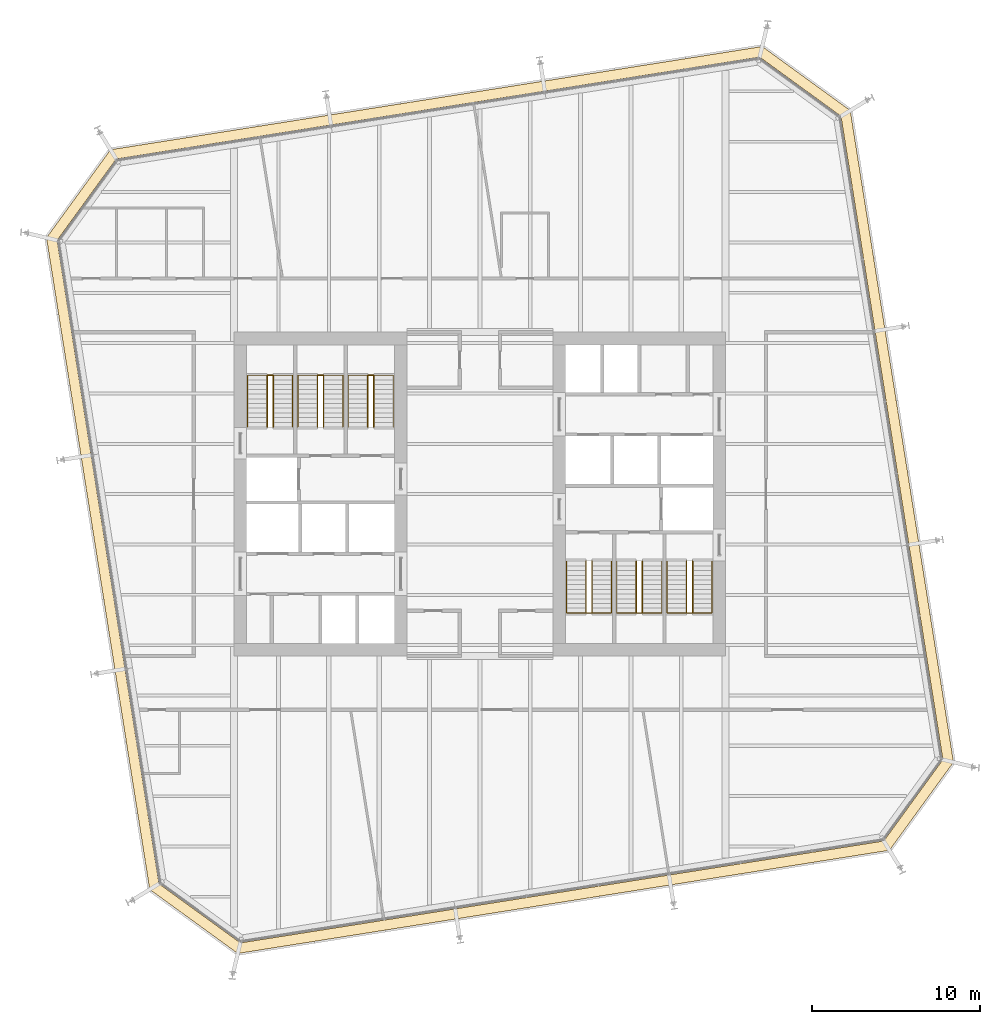
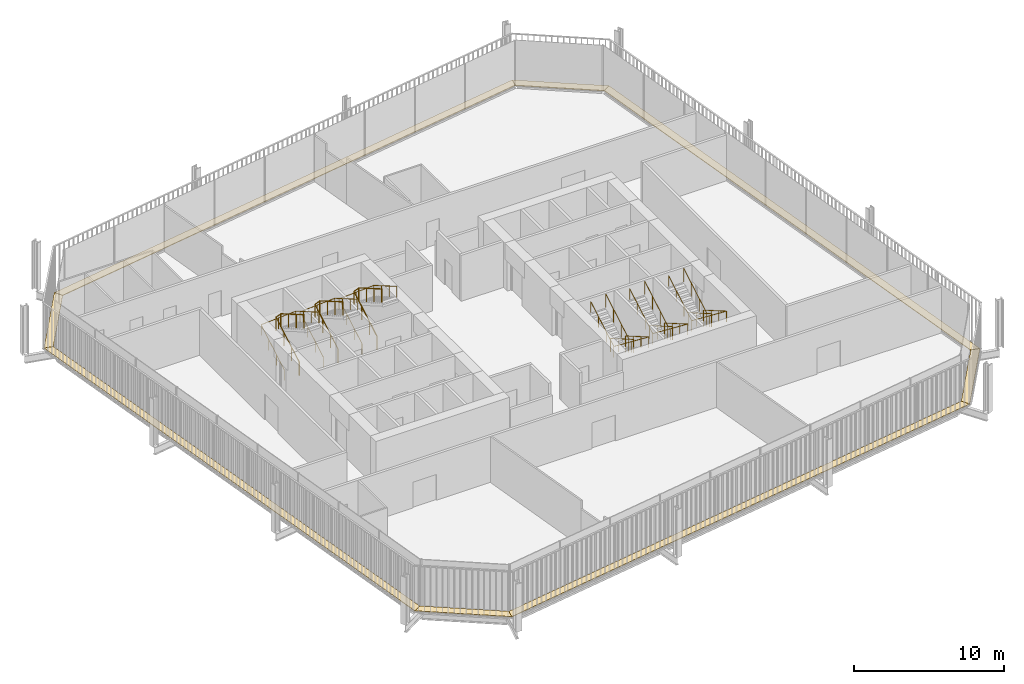
# One storey, part 21 of 21: 12 railings, 8 coverings.
"""IFC4 building model written with IfcOpenShell, lengths in metres."""

from ifc_helpers import new_model, si_unit, direction, frame, origin, origin_2d, place, context, subcontext, project, spatial, polyline, circle, outline, extrude, material, layer, layer_set, type_object, element, save


model = new_model("IFC4")

# Units and contexts
model_context = context("Model", 3, precision=1e-05, world=origin(), true_north=direction((0.0, 1.0)))
body_context = subcontext(model_context, "Body", "Model", "MODEL_VIEW")
ifc_project = project(units=[si_unit("LENGTHUNIT", "METRE"), si_unit("AREAUNIT", "SQUARE_METRE"), si_unit("VOLUMEUNIT", "CUBIC_METRE"), si_unit("PLANEANGLEUNIT", "RADIAN"), si_unit("MASSUNIT", "GRAM", prefix="KILO")], contexts=[model_context])

# Site, building, storey
site_placement = place(None, origin())
site = spatial("IfcSite", under=ifc_project, at=site_placement, CompositionType="ELEMENT")
building_placement = place(site_placement, origin())
building = spatial("IfcBuilding", under=site, at=building_placement, Name="Millrace Tower", CompositionType="ELEMENT")
storey_placement = place(building_placement, frame((0.0, 0.0, 133.39990234375)))
storey = spatial("IfcBuildingStorey", under=building, at=storey_placement, Name="L29", CompositionType="ELEMENT", Elevation=133.39990234375)

# Coverings
ifc_material_1 = material(Name="Steel ASTM A36", Category="steel")
ifc_layer = layer(ifc_material_1, 0.050048828125)
ifc_layer_set = layer_set([ifc_layer], Name="Steel ASTM A36")
covering_type = type_object("IfcCoveringType", Name="CAVITY CATWALK steel grating", PredefinedType="FLOORING", material=ifc_layer_set)
placement = place(storey_placement, frame((0.0, 0.0, 0.10009765625)))
element("IfcCovering", 1, at=placement, inside=storey, type_object=covering_type, Name="Cavity catwalk grating C-F01 L29 1", PredefinedType="FLOORING", context=body_context, shape_type="SweptSolid", body=[
    extrude(outline(polyline([(-19.67578125, -23.562255859375), (-14.425048828125, -27.376953125), (-14.2734375, -26.74560546875), (-19.1220703125, -23.222900390625), (-19.67578125, -23.562255859375)])), origin(), (0.0, 0.0, 1.0), 0.050048828125),
])
element("IfcCovering", 2, at=placement, inside=storey, type_object=covering_type, Name="Cavity catwalk grating C-F02 L29 1", PredefinedType="FLOORING", context=body_context, shape_type="SweptSolid", body=[
    extrude(outline(polyline([(-14.425048828125, -27.376953125), (24.412109375, -21.225830078125), (24.07275390625, -20.672119140625), (-14.2734375, -26.74560546875), (-14.425048828125, -27.376953125)])), origin(), (0.0, 0.0, 1.0), 0.050048828125),
])
element("IfcCovering", 3, at=placement, inside=storey, type_object=covering_type, Name="Cavity catwalk grating C-F03 L29 1", PredefinedType="FLOORING", context=body_context, shape_type="SweptSolid", body=[
    extrude(outline(polyline([(24.412109375, -21.225830078125), (28.22705078125, -15.97509765625), (27.595458984375, -15.823486328125), (24.07275390625, -20.672119140625), (24.412109375, -21.225830078125)])), origin(), (0.0, 0.0, 1.0), 0.050048828125),
])
element("IfcCovering", 4, at=placement, inside=storey, type_object=covering_type, Name="Cavity catwalk grating C-F04 L29 1", PredefinedType="FLOORING", context=body_context, shape_type="SweptSolid", body=[
    extrude(outline(polyline([(28.22705078125, -15.97509765625), (22.075927734375, 22.862060546875), (21.522216796875, 22.522705078125), (27.595458984375, -15.823486328125), (28.22705078125, -15.97509765625)])), origin(), (0.0, 0.0, 1.0), 0.050048828125),
])
element("IfcCovering", 5, at=placement, inside=storey, type_object=covering_type, Name="Cavity catwalk grating C-F05 L29 1", PredefinedType="FLOORING", context=body_context, shape_type="SweptSolid", body=[
    extrude(outline(polyline([(22.075927734375, 22.862060546875), (16.824951171875, 26.677001953125), (16.67333984375, 26.045654296875), (21.522216796875, 22.522705078125), (22.075927734375, 22.862060546875)])), origin(), (0.0, 0.0, 1.0), 0.050048828125),
])
element("IfcCovering", 6, at=placement, inside=storey, type_object=covering_type, Name="Cavity catwalk grating C-F06 L29 1", PredefinedType="FLOORING", context=body_context, shape_type="SweptSolid", body=[
    extrude(outline(polyline([(16.824951171875, 26.677001953125), (-22.01220703125, 20.52587890625), (-21.6728515625, 19.97216796875), (16.67333984375, 26.045654296875), (16.824951171875, 26.677001953125)])), origin(), (0.0, 0.0, 1.0), 0.050048828125),
])
element("IfcCovering", 7, at=placement, inside=storey, type_object=covering_type, Name="Cavity catwalk grating C-F07 L29 1", PredefinedType="FLOORING", context=body_context, shape_type="SweptSolid", body=[
    extrude(outline(polyline([(-22.01220703125, 20.52587890625), (-25.8271484375, 15.275146484375), (-25.195556640625, 15.12353515625), (-21.6728515625, 19.97216796875), (-22.01220703125, 20.52587890625)])), origin(), (0.0, 0.0, 1.0), 0.050048828125),
])
element("IfcCovering", 8, at=placement, inside=storey, type_object=covering_type, Name="Cavity catwalk grating C-F08 L29 1", PredefinedType="FLOORING", context=body_context, shape_type="SweptSolid", body=[
    extrude(outline(polyline([(-25.8271484375, 15.275146484375), (-19.67578125, -23.562255859375), (-19.1220703125, -23.222900390625), (-25.195556640625, 15.12353515625), (-25.8271484375, 15.275146484375)])), origin(), (0.0, 0.0, 1.0), 0.050048828125),
])

# Railings
ifc_material_2 = material(Name="Stainless steel ASTM A240 type 316", Category="steel")
railing_type_1 = type_object("IfcRailingType", Name="Stair guard 1100", PredefinedType="GUARDRAIL", material=ifc_material_2)
for number, where, name in (
    (9, (-12.679931640625, 4.0, 0.16259765625), "Stair guard 1 W L29"),
    (10, (-9.679931640625, 4.0, 0.16259765625), "Stair guard 2 W L29"),
    (11, (-6.679931640625, 4.0, 0.16259765625), "Stair guard 3 W L29"),
):
    element("IfcRailing", number, at=place(storey_placement, frame(where)), inside=storey, type_object=railing_type_1, Name=name, PredefinedType="GUARDRAIL", context=body_context, shape_type="SweptSolid", body=[
        extrude(circle(Radius=0.02392578125, at=origin_2d()), frame((0.0, 0.0, 1.076171875), z_axis=(0.0, 0.864890721111, 0.501960198159), x_axis=(-1.0, 0.0, 0.0)), (0.0, 0.0, 1.0), 3.561279296875),
        extrude(circle(Radius=0.02392578125, at=origin_2d()), frame((0.0, 3.080078125, 2.86376953125), z_axis=(0.91152767309, 0.0, 0.411238739895), x_axis=(0.0, 1.0, 0.0)), (0.0, 0.0, 1.0), 0.394775390625),
        extrude(circle(Radius=0.02392578125, at=origin_2d()), frame((0.35986328125, 3.080078125, 3.02587890625), z_axis=(0.0, -0.864890721111, 0.501960198159), x_axis=(1.0, 0.0, 0.0)), (0.0, 0.0, 1.0), 3.561279296875),
        extrude(circle(Radius=0.02099609375, at=origin_2d()), origin(), (0.0, 0.0, 1.0), 1.052001953125),
        extrude(circle(Radius=0.02099609375, at=origin_2d()), frame((0.0, 1.026611328125, 0.595947265625)), (0.0, 0.0, 1.0), 1.052001953125),
        extrude(circle(Radius=0.02099609375, at=origin_2d()), frame((0.0, 2.053466796875, 1.191650390625)), (0.0, 0.0, 1.0), 1.052001953125),
        extrude(circle(Radius=0.02099609375, at=origin_2d()), frame((0.0, 3.080078125, 1.78759765625)), (0.0, 0.0, 1.0), 1.052001953125),
        extrude(circle(Radius=0.02099609375, at=origin_2d()), frame((0.35986328125, 3.080078125, 1.949951171875)), (0.0, 0.0, 1.0), 1.052001953125),
        extrude(circle(Radius=0.02099609375, at=origin_2d()), frame((0.35986328125, 2.053466796875, 2.5458984375)), (0.0, 0.0, 1.0), 1.052001953125),
        extrude(circle(Radius=0.02099609375, at=origin_2d()), frame((0.35986328125, 1.026611328125, 3.1416015625)), (0.0, 0.0, 1.0), 1.052001953125),
        extrude(circle(Radius=0.02099609375, at=origin_2d()), frame((0.35986328125, 0.0, 3.737548828125)), (0.0, 0.0, 1.0), 1.052001953125),
    ])
for number, where, name in (
    (12, (12.679931640625, -4.0, 0.16259765625), "Stair guard 1 E L29"),
    (13, (9.679931640625, -4.0, 0.16259765625), "Stair guard 2 E L29"),
    (14, (6.679931640625, -4.0, 0.16259765625), "Stair guard 3 E L29"),
):
    element("IfcRailing", number, at=place(storey_placement, frame(where)), inside=storey, type_object=railing_type_1, Name=name, PredefinedType="GUARDRAIL", context=body_context, shape_type="SweptSolid", body=[
        extrude(circle(Radius=0.02392578125, at=origin_2d()), frame((0.0, 0.0, 1.076171875), z_axis=(0.0, -0.864890721111, 0.501960198159), x_axis=(1.0, 0.0, 0.0)), (0.0, 0.0, 1.0), 3.561279296875),
        extrude(circle(Radius=0.02392578125, at=origin_2d()), frame((0.0, -3.080078125, 2.86376953125), z_axis=(-0.91152767309, 0.0, 0.411238739895), x_axis=(0.0, -1.0, 0.0)), (0.0, 0.0, 1.0), 0.394775390625),
        extrude(circle(Radius=0.02392578125, at=origin_2d()), frame((-0.35986328125, -3.080078125, 3.02587890625), z_axis=(0.0, 0.864890721111, 0.501960198159), x_axis=(-1.0, 0.0, 0.0)), (0.0, 0.0, 1.0), 3.561279296875),
        extrude(circle(Radius=0.02099609375, at=origin_2d()), origin(), (0.0, 0.0, 1.0), 1.052001953125),
        extrude(circle(Radius=0.02099609375, at=origin_2d()), frame((0.0, -1.026611328125, 0.595947265625)), (0.0, 0.0, 1.0), 1.052001953125),
        extrude(circle(Radius=0.02099609375, at=origin_2d()), frame((0.0, -2.053466796875, 1.191650390625)), (0.0, 0.0, 1.0), 1.052001953125),
        extrude(circle(Radius=0.02099609375, at=origin_2d()), frame((0.0, -3.080078125, 1.78759765625)), (0.0, 0.0, 1.0), 1.052001953125),
        extrude(circle(Radius=0.02099609375, at=origin_2d()), frame((-0.35986328125, -3.080078125, 1.949951171875)), (0.0, 0.0, 1.0), 1.052001953125),
        extrude(circle(Radius=0.02099609375, at=origin_2d()), frame((-0.35986328125, -2.053466796875, 2.5458984375)), (0.0, 0.0, 1.0), 1.052001953125),
        extrude(circle(Radius=0.02099609375, at=origin_2d()), frame((-0.35986328125, -1.026611328125, 3.1416015625)), (0.0, 0.0, 1.0), 1.052001953125),
        extrude(circle(Radius=0.02099609375, at=origin_2d()), frame((-0.35986328125, 0.0, 3.737548828125)), (0.0, 0.0, 1.0), 1.052001953125),
    ])
ifc_material_3 = material(Name="Stainless steel ASTM A240 type 316", Category="steel")
railing_type_2 = type_object("IfcRailingType", Name="Stair handrail 900", PredefinedType="HANDRAIL", material=ifc_material_3)
railing_1_placement = place(storey_placement, frame((-13.840087890625, 4.0, 0.16259765625)))
element("IfcRailing", 15, at=railing_1_placement, inside=storey, type_object=railing_type_2, Name="Stair handrail 1 W L29", PredefinedType="HANDRAIL", context=body_context, shape_type="SweptSolid", body=[
    extrude(circle(Radius=0.02392578125, at=origin_2d()), frame((0.0, 0.0, 0.8759765625), z_axis=(0.0, 0.864890721111, 0.501960198159), x_axis=(-1.0, 0.0, 0.0)), (0.0, 0.0, 1.0), 3.561279296875),
    extrude(circle(Radius=0.02392578125, at=origin_2d()), frame((0.0, 3.080078125, 2.66357421875), z_axis=(0.998170326313, 0.0, 0.06046486309), x_axis=(0.0, 1.0, 0.0)), (0.0, 0.0, 1.0), 2.68505859375),
    extrude(circle(Radius=0.02392578125, at=origin_2d()), frame((2.68017578125, 3.080078125, 2.82568359375), z_axis=(0.0, -0.864890721111, 0.501960198159), x_axis=(1.0, 0.0, 0.0)), (0.0, 0.0, 1.0), 3.561279296875),
    extrude(circle(Radius=0.02099609375, at=origin_2d()), origin(), (0.0, 0.0, 1.0), 0.851806640625),
    extrude(circle(Radius=0.02099609375, at=origin_2d()), frame((0.0, 1.026611328125, 0.595947265625)), (0.0, 0.0, 1.0), 0.851806640625),
    extrude(circle(Radius=0.02099609375, at=origin_2d()), frame((0.0, 2.053466796875, 1.191650390625)), (0.0, 0.0, 1.0), 0.851806640625),
    extrude(circle(Radius=0.02099609375, at=origin_2d()), frame((0.0, 3.080078125, 1.78759765625)), (0.0, 0.0, 1.0), 0.851806640625),
    extrude(circle(Radius=0.02099609375, at=origin_2d()), frame((1.340087890625, 3.080078125, 1.86865234375)), (0.0, 0.0, 1.0), 0.851806640625),
    extrude(circle(Radius=0.02099609375, at=origin_2d()), frame((2.68017578125, 3.080078125, 1.949951171875)), (0.0, 0.0, 1.0), 0.851806640625),
    extrude(circle(Radius=0.02099609375, at=origin_2d()), frame((2.68017578125, 2.053466796875, 2.5458984375)), (0.0, 0.0, 1.0), 0.851806640625),
    extrude(circle(Radius=0.02099609375, at=origin_2d()), frame((2.68017578125, 1.026611328125, 3.1416015625)), (0.0, 0.0, 1.0), 0.851806640625),
    extrude(circle(Radius=0.02099609375, at=origin_2d()), frame((2.68017578125, 0.0, 3.737548828125)), (0.0, 0.0, 1.0), 0.851806640625),
])
railing_2_placement = place(storey_placement, frame((-10.840087890625, 4.0, 0.16259765625)))
element("IfcRailing", 16, at=railing_2_placement, inside=storey, type_object=railing_type_2, Name="Stair handrail 2 W L29", PredefinedType="HANDRAIL", context=body_context, shape_type="SweptSolid", body=[
    extrude(circle(Radius=0.02392578125, at=origin_2d()), frame((0.0, 0.0, 0.8759765625), z_axis=(0.0, 0.864890721111, 0.501960198159), x_axis=(-1.0, 0.0, 0.0)), (0.0, 0.0, 1.0), 3.561279296875),
    extrude(circle(Radius=0.02392578125, at=origin_2d()), frame((0.0, 3.080078125, 2.66357421875), z_axis=(0.998170326313, 0.0, 0.06046486309), x_axis=(0.0, 1.0, 0.0)), (0.0, 0.0, 1.0), 2.68505859375),
    extrude(circle(Radius=0.02392578125, at=origin_2d()), frame((2.68017578125, 3.080078125, 2.82568359375), z_axis=(0.0, -0.864890721111, 0.501960198159), x_axis=(1.0, 0.0, 0.0)), (0.0, 0.0, 1.0), 3.561279296875),
    extrude(circle(Radius=0.02099609375, at=origin_2d()), origin(), (0.0, 0.0, 1.0), 0.851806640625),
    extrude(circle(Radius=0.02099609375, at=origin_2d()), frame((0.0, 1.026611328125, 0.595947265625)), (0.0, 0.0, 1.0), 0.851806640625),
    extrude(circle(Radius=0.02099609375, at=origin_2d()), frame((0.0, 2.053466796875, 1.191650390625)), (0.0, 0.0, 1.0), 0.851806640625),
    extrude(circle(Radius=0.02099609375, at=origin_2d()), frame((0.0, 3.080078125, 1.78759765625)), (0.0, 0.0, 1.0), 0.851806640625),
    extrude(circle(Radius=0.02099609375, at=origin_2d()), frame((1.340087890625, 3.080078125, 1.86865234375)), (0.0, 0.0, 1.0), 0.851806640625),
    extrude(circle(Radius=0.02099609375, at=origin_2d()), frame((2.68017578125, 3.080078125, 1.949951171875)), (0.0, 0.0, 1.0), 0.851806640625),
    extrude(circle(Radius=0.02099609375, at=origin_2d()), frame((2.68017578125, 2.053466796875, 2.5458984375)), (0.0, 0.0, 1.0), 0.851806640625),
    extrude(circle(Radius=0.02099609375, at=origin_2d()), frame((2.68017578125, 1.026611328125, 3.1416015625)), (0.0, 0.0, 1.0), 0.851806640625),
    extrude(circle(Radius=0.02099609375, at=origin_2d()), frame((2.68017578125, 0.0, 3.737548828125)), (0.0, 0.0, 1.0), 0.851806640625),
])
railing_3_placement = place(storey_placement, frame((-7.840087890625, 4.0, 0.16259765625)))
element("IfcRailing", 17, at=railing_3_placement, inside=storey, type_object=railing_type_2, Name="Stair handrail 3 W L29", PredefinedType="HANDRAIL", context=body_context, shape_type="SweptSolid", body=[
    extrude(circle(Radius=0.02392578125, at=origin_2d()), frame((0.0, 0.0, 0.8759765625), z_axis=(0.0, 0.864890721111, 0.501960198159), x_axis=(-1.0, 0.0, 0.0)), (0.0, 0.0, 1.0), 3.561279296875),
    extrude(circle(Radius=0.02392578125, at=origin_2d()), frame((0.0, 3.080078125, 2.66357421875), z_axis=(0.998170326313, 0.0, 0.06046486309), x_axis=(0.0, 1.0, 0.0)), (0.0, 0.0, 1.0), 2.68505859375),
    extrude(circle(Radius=0.02392578125, at=origin_2d()), frame((2.68017578125, 3.080078125, 2.82568359375), z_axis=(0.0, -0.864890721111, 0.501960198159), x_axis=(1.0, 0.0, 0.0)), (0.0, 0.0, 1.0), 3.561279296875),
    extrude(circle(Radius=0.02099609375, at=origin_2d()), origin(), (0.0, 0.0, 1.0), 0.851806640625),
    extrude(circle(Radius=0.02099609375, at=origin_2d()), frame((0.0, 1.026611328125, 0.595947265625)), (0.0, 0.0, 1.0), 0.851806640625),
    extrude(circle(Radius=0.02099609375, at=origin_2d()), frame((0.0, 2.053466796875, 1.191650390625)), (0.0, 0.0, 1.0), 0.851806640625),
    extrude(circle(Radius=0.02099609375, at=origin_2d()), frame((0.0, 3.080078125, 1.78759765625)), (0.0, 0.0, 1.0), 0.851806640625),
    extrude(circle(Radius=0.02099609375, at=origin_2d()), frame((1.340087890625, 3.080078125, 1.86865234375)), (0.0, 0.0, 1.0), 0.851806640625),
    extrude(circle(Radius=0.02099609375, at=origin_2d()), frame((2.68017578125, 3.080078125, 1.949951171875)), (0.0, 0.0, 1.0), 0.851806640625),
    extrude(circle(Radius=0.02099609375, at=origin_2d()), frame((2.68017578125, 2.053466796875, 2.5458984375)), (0.0, 0.0, 1.0), 0.851806640625),
    extrude(circle(Radius=0.02099609375, at=origin_2d()), frame((2.68017578125, 1.026611328125, 3.1416015625)), (0.0, 0.0, 1.0), 0.851806640625),
    extrude(circle(Radius=0.02099609375, at=origin_2d()), frame((2.68017578125, 0.0, 3.737548828125)), (0.0, 0.0, 1.0), 0.851806640625),
])
railing_4_placement = place(storey_placement, frame((13.840087890625, -4.0, 0.16259765625)))
element("IfcRailing", 18, at=railing_4_placement, inside=storey, type_object=railing_type_2, Name="Stair handrail 1 E L29", PredefinedType="HANDRAIL", context=body_context, shape_type="SweptSolid", body=[
    extrude(circle(Radius=0.02392578125, at=origin_2d()), frame((0.0, 0.0, 0.8759765625), z_axis=(0.0, -0.864890721111, 0.501960198159), x_axis=(1.0, 0.0, 0.0)), (0.0, 0.0, 1.0), 3.561279296875),
    extrude(circle(Radius=0.02392578125, at=origin_2d()), frame((0.0, -3.080078125, 2.66357421875), z_axis=(-0.998170326313, 0.0, 0.06046486309), x_axis=(0.0, -1.0, 0.0)), (0.0, 0.0, 1.0), 2.68505859375),
    extrude(circle(Radius=0.02392578125, at=origin_2d()), frame((-2.68017578125, -3.080078125, 2.82568359375), z_axis=(0.0, 0.864890721111, 0.501960198159), x_axis=(-1.0, 0.0, 0.0)), (0.0, 0.0, 1.0), 3.561279296875),
    extrude(circle(Radius=0.02099609375, at=origin_2d()), origin(), (0.0, 0.0, 1.0), 0.851806640625),
    extrude(circle(Radius=0.02099609375, at=origin_2d()), frame((0.0, -1.026611328125, 0.595947265625)), (0.0, 0.0, 1.0), 0.851806640625),
    extrude(circle(Radius=0.02099609375, at=origin_2d()), frame((0.0, -2.053466796875, 1.191650390625)), (0.0, 0.0, 1.0), 0.851806640625),
    extrude(circle(Radius=0.02099609375, at=origin_2d()), frame((0.0, -3.080078125, 1.78759765625)), (0.0, 0.0, 1.0), 0.851806640625),
    extrude(circle(Radius=0.02099609375, at=origin_2d()), frame((-1.340087890625, -3.080078125, 1.86865234375)), (0.0, 0.0, 1.0), 0.851806640625),
    extrude(circle(Radius=0.02099609375, at=origin_2d()), frame((-2.68017578125, -3.080078125, 1.949951171875)), (0.0, 0.0, 1.0), 0.851806640625),
    extrude(circle(Radius=0.02099609375, at=origin_2d()), frame((-2.68017578125, -2.053466796875, 2.5458984375)), (0.0, 0.0, 1.0), 0.851806640625),
    extrude(circle(Radius=0.02099609375, at=origin_2d()), frame((-2.68017578125, -1.026611328125, 3.1416015625)), (0.0, 0.0, 1.0), 0.851806640625),
    extrude(circle(Radius=0.02099609375, at=origin_2d()), frame((-2.68017578125, 0.0, 3.737548828125)), (0.0, 0.0, 1.0), 0.851806640625),
])
railing_5_placement = place(storey_placement, frame((10.840087890625, -4.0, 0.16259765625)))
element("IfcRailing", 19, at=railing_5_placement, inside=storey, type_object=railing_type_2, Name="Stair handrail 2 E L29", PredefinedType="HANDRAIL", context=body_context, shape_type="SweptSolid", body=[
    extrude(circle(Radius=0.02392578125, at=origin_2d()), frame((0.0, 0.0, 0.8759765625), z_axis=(0.0, -0.864890721111, 0.501960198159), x_axis=(1.0, 0.0, 0.0)), (0.0, 0.0, 1.0), 3.561279296875),
    extrude(circle(Radius=0.02392578125, at=origin_2d()), frame((0.0, -3.080078125, 2.66357421875), z_axis=(-0.998170326313, 0.0, 0.06046486309), x_axis=(0.0, -1.0, 0.0)), (0.0, 0.0, 1.0), 2.68505859375),
    extrude(circle(Radius=0.02392578125, at=origin_2d()), frame((-2.68017578125, -3.080078125, 2.82568359375), z_axis=(0.0, 0.864890721111, 0.501960198159), x_axis=(-1.0, 0.0, 0.0)), (0.0, 0.0, 1.0), 3.561279296875),
    extrude(circle(Radius=0.02099609375, at=origin_2d()), origin(), (0.0, 0.0, 1.0), 0.851806640625),
    extrude(circle(Radius=0.02099609375, at=origin_2d()), frame((0.0, -1.026611328125, 0.595947265625)), (0.0, 0.0, 1.0), 0.851806640625),
    extrude(circle(Radius=0.02099609375, at=origin_2d()), frame((0.0, -2.053466796875, 1.191650390625)), (0.0, 0.0, 1.0), 0.851806640625),
    extrude(circle(Radius=0.02099609375, at=origin_2d()), frame((0.0, -3.080078125, 1.78759765625)), (0.0, 0.0, 1.0), 0.851806640625),
    extrude(circle(Radius=0.02099609375, at=origin_2d()), frame((-1.340087890625, -3.080078125, 1.86865234375)), (0.0, 0.0, 1.0), 0.851806640625),
    extrude(circle(Radius=0.02099609375, at=origin_2d()), frame((-2.68017578125, -3.080078125, 1.949951171875)), (0.0, 0.0, 1.0), 0.851806640625),
    extrude(circle(Radius=0.02099609375, at=origin_2d()), frame((-2.68017578125, -2.053466796875, 2.5458984375)), (0.0, 0.0, 1.0), 0.851806640625),
    extrude(circle(Radius=0.02099609375, at=origin_2d()), frame((-2.68017578125, -1.026611328125, 3.1416015625)), (0.0, 0.0, 1.0), 0.851806640625),
    extrude(circle(Radius=0.02099609375, at=origin_2d()), frame((-2.68017578125, 0.0, 3.737548828125)), (0.0, 0.0, 1.0), 0.851806640625),
])
railing_6_placement = place(storey_placement, frame((7.840087890625, -4.0, 0.16259765625)))
element("IfcRailing", 20, at=railing_6_placement, inside=storey, type_object=railing_type_2, Name="Stair handrail 3 E L29", PredefinedType="HANDRAIL", context=body_context, shape_type="SweptSolid", body=[
    extrude(circle(Radius=0.02392578125, at=origin_2d()), frame((0.0, 0.0, 0.8759765625), z_axis=(0.0, -0.864890721111, 0.501960198159), x_axis=(1.0, 0.0, 0.0)), (0.0, 0.0, 1.0), 3.561279296875),
    extrude(circle(Radius=0.02392578125, at=origin_2d()), frame((0.0, -3.080078125, 2.66357421875), z_axis=(-0.998170326313, 0.0, 0.06046486309), x_axis=(0.0, -1.0, 0.0)), (0.0, 0.0, 1.0), 2.68505859375),
    extrude(circle(Radius=0.02392578125, at=origin_2d()), frame((-2.68017578125, -3.080078125, 2.82568359375), z_axis=(0.0, 0.864890721111, 0.501960198159), x_axis=(-1.0, 0.0, 0.0)), (0.0, 0.0, 1.0), 3.561279296875),
    extrude(circle(Radius=0.02099609375, at=origin_2d()), origin(), (0.0, 0.0, 1.0), 0.851806640625),
    extrude(circle(Radius=0.02099609375, at=origin_2d()), frame((0.0, -1.026611328125, 0.595947265625)), (0.0, 0.0, 1.0), 0.851806640625),
    extrude(circle(Radius=0.02099609375, at=origin_2d()), frame((0.0, -2.053466796875, 1.191650390625)), (0.0, 0.0, 1.0), 0.851806640625),
    extrude(circle(Radius=0.02099609375, at=origin_2d()), frame((0.0, -3.080078125, 1.78759765625)), (0.0, 0.0, 1.0), 0.851806640625),
    extrude(circle(Radius=0.02099609375, at=origin_2d()), frame((-1.340087890625, -3.080078125, 1.86865234375)), (0.0, 0.0, 1.0), 0.851806640625),
    extrude(circle(Radius=0.02099609375, at=origin_2d()), frame((-2.68017578125, -3.080078125, 1.949951171875)), (0.0, 0.0, 1.0), 0.851806640625),
    extrude(circle(Radius=0.02099609375, at=origin_2d()), frame((-2.68017578125, -2.053466796875, 2.5458984375)), (0.0, 0.0, 1.0), 0.851806640625),
    extrude(circle(Radius=0.02099609375, at=origin_2d()), frame((-2.68017578125, -1.026611328125, 3.1416015625)), (0.0, 0.0, 1.0), 0.851806640625),
    extrude(circle(Radius=0.02099609375, at=origin_2d()), frame((-2.68017578125, 0.0, 3.737548828125)), (0.0, 0.0, 1.0), 0.851806640625),
])

save(model, "model.ifc")
